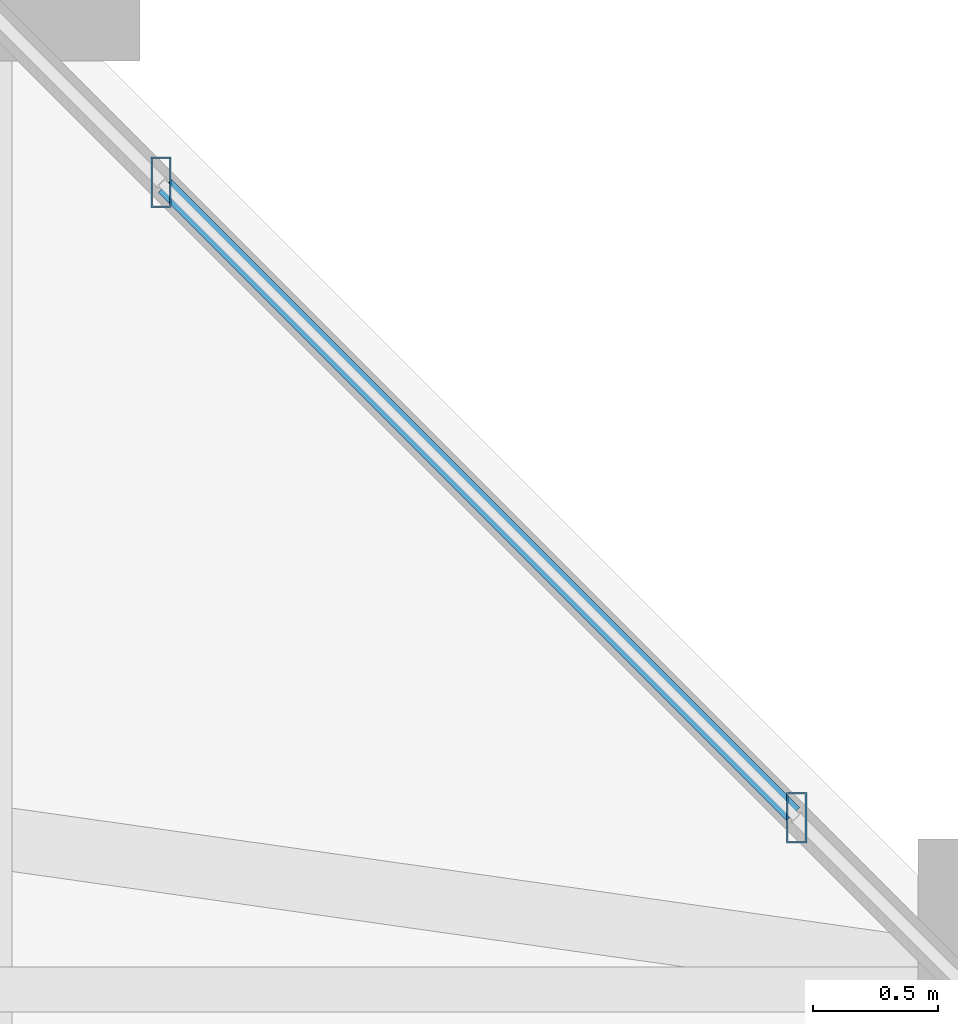
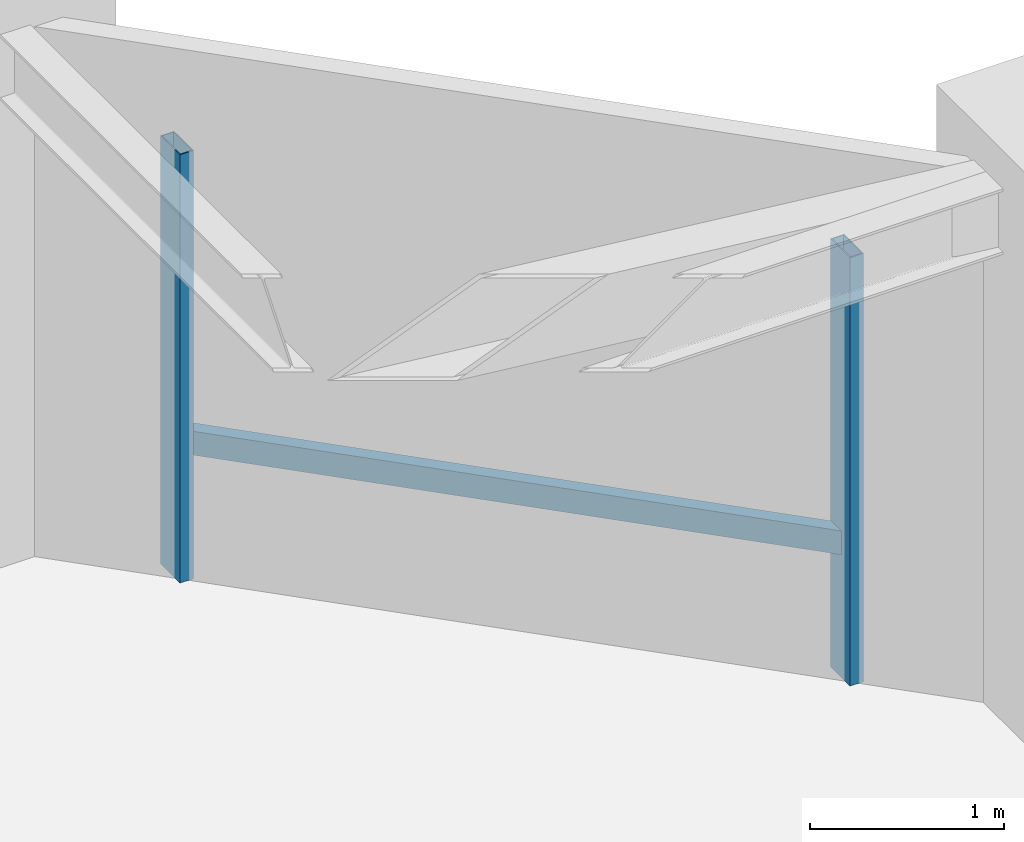
# One storey, part 9 of 31: 3 members, 1 element without a shape of its own.
"""IFC4 building model written with IfcOpenShell, lengths in metres."""

from ifc_helpers import new_model, si_unit, direction, frame, origin, origin_2d, place, context, subcontext, project, spatial, hollow_rectangle, extrude, material, material_profile, profile_set, type_object, element, aggregate, save


model = new_model("IFC4")

# Units and contexts
model_context = context("Model", 3, precision=1e-05, world=origin(), true_north=direction((0.0, 1.0)))
body_context = subcontext(model_context, "Body", "Model", "MODEL_VIEW")
ifc_project = project(units=[si_unit("LENGTHUNIT", "METRE"), si_unit("AREAUNIT", "SQUARE_METRE"), si_unit("VOLUMEUNIT", "CUBIC_METRE"), si_unit("PLANEANGLEUNIT", "RADIAN"), si_unit("MASSUNIT", "GRAM", prefix="KILO")], contexts=[model_context])

# Site, building, storey
site_placement = place(None, origin())
site = spatial("IfcSite", under=ifc_project, at=site_placement, CompositionType="ELEMENT")
building_placement = place(site_placement, origin())
building = spatial("IfcBuilding", under=site, at=building_placement, Name="Thornwick Lancets Civic Towers", CompositionType="ELEMENT")
storey_placement = place(building_placement, frame((0.0, 0.0, 126.89990234375)))
storey = spatial("IfcBuildingStorey", under=building, at=storey_placement, Name="L33", CompositionType="ELEMENT", Elevation=126.89990234375)

# Curtain wall, members
ifc_material_1 = material(Name="Mid-zone chamfered-corner unitised glass curtain wall", Category="glass")
curtain_wall_type = type_object("IfcCurtainWallType", Name="CW_SYS_04", PredefinedType="NOTDEFINED", material=ifc_material_1)
curtain_wall_placement = place(storey_placement, origin())
curtain_wall = element("IfcCurtainWall", 1, at=curtain_wall_placement, inside=storey, type_object=curtain_wall_type, Name="L33 Curtain Wall CW-L33-A-E3", PredefinedType="NOTDEFINED")
ifc_material_2 = material(Name="Thermally broken bronze aluminium S355", Category="steel")
ifc_material_profile_1 = material_profile(ifc_material_2, hollow_rectangle(XDim=0.080078125, YDim=0.199951171875, WallThickness=0.006103515625, at=origin_2d()), Name="RHS 200x80x6")
ifc_profile_set_1 = profile_set([ifc_material_profile_1], Name="Thermally broken bronze aluminium S355")
member_type_1 = type_object("IfcMemberType", Name="CW_MUL_200", PredefinedType="MULLION", material=ifc_profile_set_1)
member_1_placement = place(storey_placement, frame((41.71728515625, 40.68505859375, 0.0), z_axis=(0.0, 0.0, 1.0), x_axis=(1.0, 0.0, 0.0)))
member_1 = element("IfcMember", 2, at=member_1_placement, type_object=member_type_1, Name="CW-L33-A-E3 Mullion 0", PredefinedType="MULLION", context=body_context, shape_type="SweptSolid", body=[
    extrude(hollow_rectangle(XDim=0.080078125, YDim=0.199951171875, WallThickness=0.006103515625, at=origin_2d()), origin(), (0.0, 0.0, 1.0), 2.7001953125),
])
member_2_placement = place(storey_placement, frame((39.18505859375, 43.21728515625, 0.0), z_axis=(0.0, 0.0, 1.0), x_axis=(1.0, 0.0, 0.0)))
member_2 = element("IfcMember", 3, at=member_2_placement, type_object=member_type_1, Name="CW-L33-A-E3 Mullion 1", PredefinedType="MULLION", context=body_context, shape_type="SweptSolid", body=[
    extrude(hollow_rectangle(XDim=0.080078125, YDim=0.199951171875, WallThickness=0.006103515625, at=origin_2d()), origin(), (0.0, 0.0, 1.0), 2.7001953125),
])
ifc_material_profile_2 = material_profile(ifc_material_2, hollow_rectangle(XDim=0.074951171875, YDim=0.14990234375, WallThickness=0.0048828125, at=origin_2d()), Name="RHS 150x75x5")
ifc_profile_set_2 = profile_set([ifc_material_profile_2], Name="Thermally broken bronze aluminium S355")
member_type_2 = type_object("IfcMemberType", Name="CW_TRN_150", PredefinedType="USERDEFINED", material=ifc_profile_set_2)
member_3_placement = place(storey_placement, frame((41.703125, 40.69921875, 0.85009765625), z_axis=(-0.707106781187, 0.707106781187, 0.0), x_axis=(-0.707106781187, -0.707106781187, 0.0)))
member_3 = element("IfcMember", 4, at=member_3_placement, type_object=member_type_2, Name="CW-L33-A-E3 Transom 0", ObjectType="TRANSOM", PredefinedType="USERDEFINED", context=body_context, shape_type="SweptSolid", body=[
    extrude(hollow_rectangle(XDim=0.074951171875, YDim=0.14990234375, WallThickness=0.0048828125, at=origin_2d()), origin(), (0.0, 0.0, 1.0), 3.541015625),
])
aggregate(curtain_wall, [member_1, member_2, member_3])

save(model, "model.ifc")
